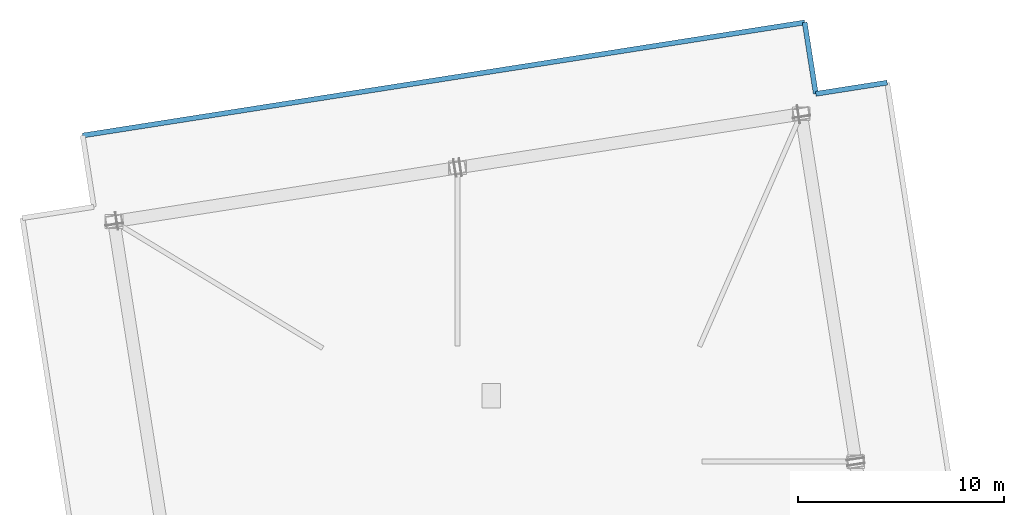
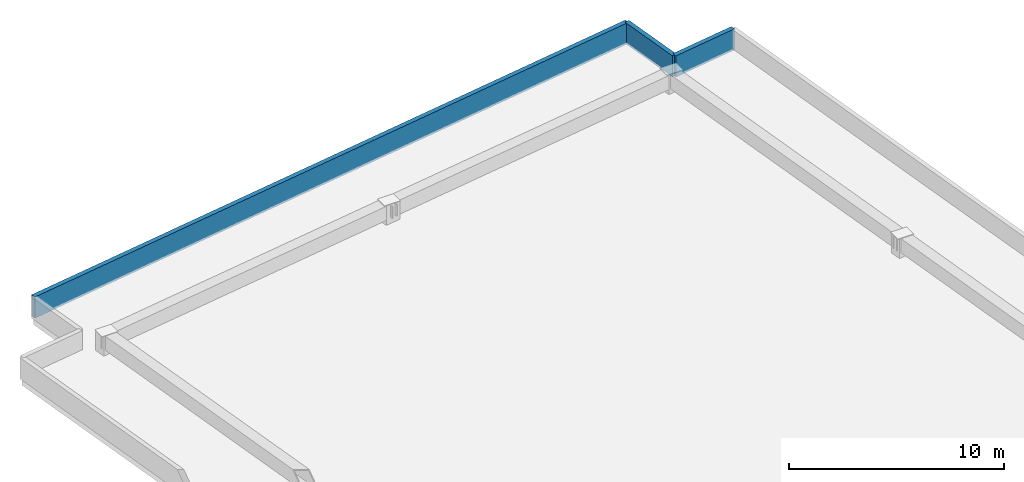
# One storey, part 2 of 3: 3 walls.
"""IFC4 building model written with IfcOpenShell, lengths in metres."""

import ifcopenshell
import ifcopenshell.guid

model = None  # the IFC model being written
_history = None  # IfcOwnerHistory: only IFC2X3 demands one
_inside = {}  # id of a spatial element -> (the spatial element, [elements in it])
_under = {}  # id of a project, library or spatial element -> (it, [spatial elements below it])
_declared = {}  # id of a project -> (the project, [libraries it declares])
_typed = {}  # id of a type object -> (the type object, [elements of that type])
_made_of = {}  # id of a material, layer set ... -> (it, [elements and type objects made of it])


def new_model(schema):
    """Start an empty IFC model of exactly this schema.

    Asked for "IFC4X3", IfcOpenShell would pick the latest addendum, in which some entities
    have other attributes; the version numbers below select the first issue.
    IFC2X3 requires an IfcOwnerHistory on every rooted entity: one is made here for all.
    """
    global model, _history
    if schema == "IFC4X3":
        model = ifcopenshell.file(schema_version=(4, 3, 0, 0))
    else:
        model = ifcopenshell.file(schema=schema)
    _inside.clear()
    _under.clear()
    _declared.clear()
    _typed.clear()
    _made_of.clear()
    _history = None
    if model.schema == "IFC2X3":
        org = make("IfcOrganization", Name="unknown")
        user = make(
            "IfcPersonAndOrganization",
            ThePerson=make("IfcPerson", FamilyName="unknown"),
            TheOrganization=org,
        )
        app = make(
            "IfcApplication",
            ApplicationDeveloper=org,
            Version="unknown",
            ApplicationFullName="unknown",
            ApplicationIdentifier="unknown",
        )
        _history = make(
            "IfcOwnerHistory",
            OwningUser=user,
            OwningApplication=app,
            ChangeAction="ADDED",
            CreationDate=0,
        )
    return model


def make(cls, **values):
    """One entity of the class cls with the attributes given. An attribute that is None is left unset."""
    return model.create_entity(
        cls, **{name: value for name, value in values.items() if value is not None}
    )


def rooted(cls, **values):
    """An entity with a GlobalId (a new one), such as an element, a storey or a relation."""
    return make(cls, GlobalId=ifcopenshell.guid.new(), OwnerHistory=_history, **values)


def si_unit(unit_type, name, prefix=None):
    """IfcSIUnit, for example si_unit("LENGTHUNIT", "METRE", prefix="MILLI")."""
    return make("IfcSIUnit", UnitType=unit_type, Prefix=prefix, Name=name)


def assignment(units):
    """IfcUnitAssignment: the units of a project."""
    return None if units is None else make("IfcUnitAssignment", Units=units)


def point(xyz):
    """IfcCartesianPoint."""
    return None if xyz is None else make("IfcCartesianPoint", Coordinates=xyz)


def direction(xyz):
    """IfcDirection."""
    return None if xyz is None else make("IfcDirection", DirectionRatios=xyz)


def frame(location, z_axis=None, x_axis=None):
    """IfcAxis2Placement3D, a coordinate frame: its origin and axes. An axis left out is left unset."""
    return make(
        "IfcAxis2Placement3D",
        Location=point(location),
        Axis=direction(z_axis),
        RefDirection=direction(x_axis),
    )


def frame_2d(location, x_axis=None):
    """IfcAxis2Placement2D, a coordinate frame in the plane: its origin and x axis."""
    return make(
        "IfcAxis2Placement2D", Location=point(location), RefDirection=direction(x_axis)
    )


def origin():
    """The frame at (0, 0, 0) with its axes left unset."""
    return frame((0.0, 0.0, 0.0))


def place(relative_to, where):
    """IfcLocalPlacement: puts the frame where relative to a parent placement (None: the world)."""
    return make(
        "IfcLocalPlacement", PlacementRelTo=relative_to, RelativePlacement=where
    )


def context(
    kind, dimensions, precision=None, world=None, true_north=None, identifier=None
):
    """IfcGeometricRepresentationContext, for example the 3D "Model" context."""
    return make(
        "IfcGeometricRepresentationContext",
        ContextIdentifier=identifier,
        ContextType=kind,
        CoordinateSpaceDimension=dimensions,
        Precision=precision,
        WorldCoordinateSystem=world,
        TrueNorth=true_north,
    )


def subcontext(parent, identifier, kind, view, scale=None):
    """IfcGeometricRepresentationSubContext, for example "Body" below "Model"."""
    return make(
        "IfcGeometricRepresentationSubContext",
        ContextIdentifier=identifier,
        ContextType=kind,
        ParentContext=parent,
        TargetScale=scale,
        TargetView=view,
    )


def project(units=None, contexts=None):
    """IfcProject with its units and contexts."""
    return rooted(
        "IfcProject",
        Name="project",
        RepresentationContexts=contexts,
        UnitsInContext=assignment(units),
    )


def spatial(cls, under=None, at=None, **own):
    """A site, building, storey or space (cls), placed at a placement, below another one or the project."""
    s = rooted(cls, ObjectPlacement=at, **own)
    if under is not None:
        _under.setdefault(under.id(), (under, []))[1].append(s)
    return s


def profile(cls, at=None, kind="AREA", **sizes):
    """A parametric profile (cls). Its sizes go by their IFC names, for example OverallWidth=200.0."""
    return make(cls, ProfileType=kind, Position=at, **sizes)


def rectangle(**sizes):
    """IfcRectangleProfileDef."""
    return profile("IfcRectangleProfileDef", **sizes)


def extrude(swept, where, along, depth):
    """IfcExtrudedAreaSolid: the profile swept, set in the frame where, extruded along a direction by depth."""
    return make(
        "IfcExtrudedAreaSolid",
        SweptArea=swept,
        Position=where,
        ExtrudedDirection=direction(along),
        Depth=depth,
    )


def shape(context_of_items, identifier, shape_type, items):
    """IfcShapeRepresentation: the items that make up one representation, for example the "Body"."""
    return make(
        "IfcShapeRepresentation",
        ContextOfItems=context_of_items,
        RepresentationIdentifier=identifier,
        RepresentationType=shape_type,
        Items=items,
    )


def material(Name=None, Category=None):
    """IfcMaterial."""
    return make("IfcMaterial", Name=Name, Category=Category)


def layer(
    of_material, thickness, ventilated=None, Name=None, Category=None, Priority=None
):
    """IfcMaterialLayer: one layer of a wall or slab, of a material (None: an air gap)."""
    return make(
        "IfcMaterialLayer",
        Material=of_material,
        LayerThickness=thickness,
        IsVentilated=ventilated,
        Name=Name,
        Category=Category,
        Priority=Priority,
    )


def layer_set(layers, Name=None):
    """IfcMaterialLayerSet."""
    return make("IfcMaterialLayerSet", MaterialLayers=layers, LayerSetName=Name)


def made_of(thing, what):
    """Note that an element or type object is made of a material, layer set ...; save() writes the relation."""
    if what is not None:
        _made_of.setdefault(what.id(), (what, []))[1].append(thing)
    return thing


def type_object(cls, material=None, **own):
    """A type object (cls), such as IfcWallType, which elements share."""
    return made_of(rooted(cls, **own), material)


def element(
    cls,
    number,
    at=None,
    inside=None,
    cuts=None,
    type_object=None,
    material=None,
    context=None,
    identifier="Body",
    shape_type=None,
    held_by="IfcProductDefinitionShape",
    body=None,
    shapes=None,
    **own,
):
    """One element of the class cls, such as IfcWall. Its Tag is "e" and its number.

    at: its placement. inside: the storey or other place that contains it. cuts: it is an
    opening in that element (IfcRelVoidsElement). A single representation is given by context,
    identifier, shape_type and body (its items); several are given by shapes. held_by: the class
    of the entity that holds the representations. save() writes the other relations.
    """
    e = rooted(cls, Tag="e%d" % number, ObjectPlacement=at, **own)
    if body is not None:
        shapes = [shape(context, identifier, shape_type, body)]
    if shapes is not None:
        e.Representation = make(held_by, Representations=shapes)
    if inside is not None:
        _inside.setdefault(inside.id(), (inside, []))[1].append(e)
    if cuts is not None:
        rooted(
            "IfcRelVoidsElement", RelatingBuildingElement=cuts, RelatedOpeningElement=e
        )
    if type_object is not None:
        _typed.setdefault(type_object.id(), (type_object, []))[1].append(e)
    return made_of(e, material)


def aggregate(whole, parts):
    """IfcRelAggregates: a whole, such as a stair, and the parts it consists of."""
    return rooted("IfcRelAggregates", RelatingObject=whole, RelatedObjects=parts)


def save(model, path):
    """Write the relations noted so far, then the file.

    IfcRelAggregates (storeys below a building ...), IfcRelContainedInSpatialStructure (elements
    in a storey), IfcRelDefinesByType, IfcRelAssociatesMaterial and IfcRelDeclares: one each for
    every whole, place, type object, material and project.
    """
    for whole, parts in _under.values():
        aggregate(whole, parts)
    for where, things in _inside.values():
        rooted(
            "IfcRelContainedInSpatialStructure",
            RelatedElements=things,
            RelatingStructure=where,
        )
    for kind, things in _typed.values():
        rooted("IfcRelDefinesByType", RelatedObjects=things, RelatingType=kind)
    for what, things in _made_of.values():
        rooted("IfcRelAssociatesMaterial", RelatedObjects=things, RelatingMaterial=what)
    for by, libraries in _declared.values():
        rooted("IfcRelDeclares", RelatingContext=by, RelatedDefinitions=libraries)
    model.write(path)


model = new_model("IFC4")

# Units and contexts
model_context = context("Model", 3, precision=1e-05, world=origin(), true_north=direction((0.0, 1.0)))
body_context = subcontext(model_context, "Body", "Model", "MODEL_VIEW")
ifc_project = project(units=[si_unit("LENGTHUNIT", "METRE"), si_unit("AREAUNIT", "SQUARE_METRE"), si_unit("VOLUMEUNIT", "CUBIC_METRE"), si_unit("PLANEANGLEUNIT", "RADIAN"), si_unit("MASSUNIT", "GRAM", prefix="KILO")], contexts=[model_context])

# Site, building, storey
site_placement = place(None, origin())
site = spatial("IfcSite", under=ifc_project, at=site_placement, CompositionType="ELEMENT")
building_placement = place(site_placement, origin())
building = spatial("IfcBuilding", under=site, at=building_placement, Name="Haldenkirk Collegiate Tower", CompositionType="ELEMENT")
storey_placement = place(building_placement, frame((0.0, 0.0, 375.0)))
storey = spatial("IfcBuildingStorey", under=building, at=storey_placement, Name="ROOF", CompositionType="ELEMENT", Elevation=375.0)

# Walls
ifc_material = material(Name="Precast concrete f'c 40 MPa", Category="concrete")
ifc_layer = layer(ifc_material, 0.239990234375)
ifc_layer_set = layer_set([ifc_layer], Name="Precast concrete f'c 40 MPa")
wall_type = type_object("IfcWallType", Name="WL-PARAPET-240", PredefinedType="PARAPET", material=ifc_layer_set)
for number, where, z_axis, x_axis, name in (
    (1, (50.717529296875, 46.4228515625, 0.0), (0.0, 0.0, 1.0), (0.987958443543, 0.154719468176, 0.0), "ROOF closed crown ring parapet 02"),
    (2, (50.176025390625, 49.880615234375, 0.0), (0.0, 0.0, 1.0), (0.154719468176, -0.987958443543, 0.0), "ROOF closed crown ring parapet 03"),
):
    element("IfcWall", number, at=place(storey_placement, frame(where, z_axis=z_axis, x_axis=x_axis)), inside=storey, type_object=wall_type, Name=name, PredefinedType="PARAPET", context=body_context, shape_type="SweptSolid", body=[
        extrude(rectangle(XDim=3.5, YDim=0.239990234375, at=frame_2d((1.75, 0.0))), origin(), (0.0, 0.0, 1.0), 1.199951171875),
    ])
wall_placement = place(storey_placement, frame((15.202392578125, 44.404052734375, 0.0), z_axis=(0.0, 0.0, 1.0), x_axis=(0.987960566288, 0.154705912818, 0.0)))
element("IfcWall", 3, at=wall_placement, inside=storey, type_object=wall_type, Name="ROOF closed crown ring parapet 04", PredefinedType="PARAPET", context=body_context, shape_type="SweptSolid", body=[
    extrude(rectangle(XDim=35.39990234375, YDim=0.239990234375, at=frame_2d((17.699951171875, 0.0))), origin(), (0.0, 0.0, 1.0), 1.199951171875),
])

save(model, "model.ifc")
